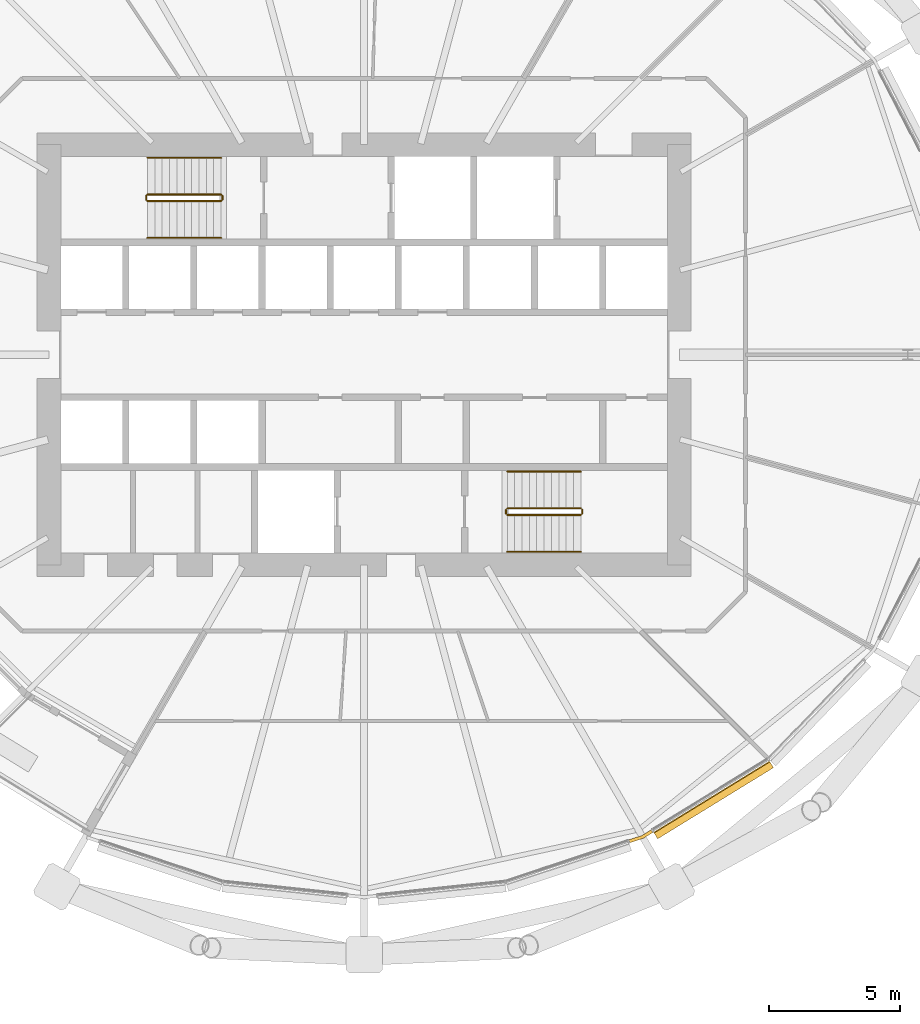
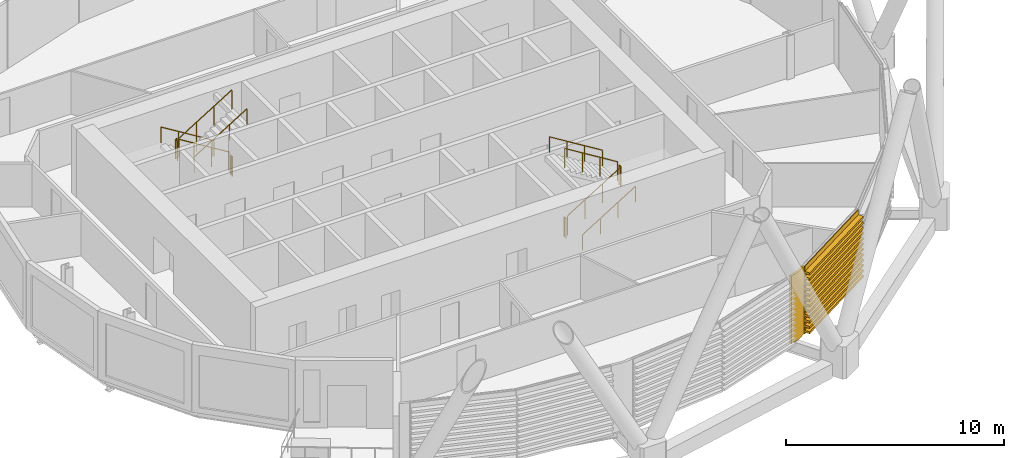
# One storey, part 35 of 40: 12 railings, 2 coverings.
"""IFC4 building model written with IfcOpenShell, lengths in metres."""

from ifc_helpers import new_model, si_unit, direction, frame, origin, origin_2d, place, context, subcontext, project, spatial, polyline, circle, outline, extrude, material, layer, layer_set, material_profile, profile_set, type_object, element, save


model = new_model("IFC4")

# Units and contexts
model_context = context("Model", 3, precision=1e-05, world=origin(), true_north=direction((0.0, 1.0)))
body_context = subcontext(model_context, "Body", "Model", "MODEL_VIEW")
ifc_project = project(units=[si_unit("LENGTHUNIT", "METRE"), si_unit("AREAUNIT", "SQUARE_METRE"), si_unit("VOLUMEUNIT", "CUBIC_METRE"), si_unit("PLANEANGLEUNIT", "RADIAN"), si_unit("MASSUNIT", "GRAM", prefix="KILO")], contexts=[model_context])

# Site, building, storey
site_placement = place(None, origin())
site = spatial("IfcSite", under=ifc_project, at=site_placement, CompositionType="ELEMENT")
building_placement = place(site_placement, origin())
building = spatial("IfcBuilding", under=site, at=building_placement, Name="Rimbun Link Towers", CompositionType="ELEMENT")
storey_placement = place(building_placement, frame((0.0, 0.0, 52.800048828125)))
storey = spatial("IfcBuildingStorey", under=building, at=storey_placement, Name="L12", CompositionType="ELEMENT", Elevation=52.800048828125)

# Covering
ifc_material_1 = material(Name="Terracotta", Category="masonry")
ifc_layer = layer(ifc_material_1, 0.1201171875)
ifc_layer_set = layer_set([ifc_layer], Name="LINK PIER terracotta cladding 120")
covering_type_1 = type_object("IfcCoveringType", Name="LINK PIER terracotta cladding 120", PredefinedType="CLADDING", material=ifc_layer_set)
covering_1_placement = place(storey_placement, origin())
element("IfcCovering", 1, at=covering_1_placement, inside=storey, type_object=covering_type_1, Name="LINK PIER cladding", PredefinedType="CLADDING", context=body_context, shape_type="SweptSolid", body=[
    extrude(outline(polyline([(-20.821044921875, -18.08984375), (-21.178955078125, -18.3095703125), (-21.672607421875, -18.47314453125), (-21.634765625, -18.5869140625), (-21.128173828125, -18.4189453125), (-20.75830078125, -18.19189453125), (-20.821044921875, -18.08984375)])), origin(), (0.0, 0.0, 1.0), 3.800048828125),
])

# Railings
ifc_material_2 = material(Name="Stainless steel grade 316", Category="steel")
railing_type_1 = type_object("IfcRailingType", Name="Stair guard", PredefinedType="GUARDRAIL", material=ifc_material_2)
railing_1_placement = place(storey_placement, frame((-37.199951171875, 6.10009765625, 0.172607421875)))
element("IfcRailing", 2, at=railing_1_placement, inside=storey, type_object=railing_type_1, Name="L12 ST1 stair guard 1", PredefinedType="GUARDRAIL", context=body_context, shape_type="SweptSolid", body=[
    extrude(circle(Radius=0.02392578125, at=origin_2d()), frame((0.0, 0.0, 1.076171875), z_axis=(-0.851089632645, 0.0, 0.525020415988), x_axis=(0.0, -1.0, 0.0)), (0.0, 0.0, 1.0), 3.2900390625),
    extrude(circle(Radius=0.02099609375, at=origin_2d()), origin(), (0.0, 0.0, 1.0), 1.052001953125),
    extrude(circle(Radius=0.02099609375, at=origin_2d()), frame((-0.933349609375, 0.0, 0.57568359375)), (0.0, 0.0, 1.0), 1.052001953125),
    extrude(circle(Radius=0.02099609375, at=origin_2d()), frame((-1.86669921875, 0.0, 1.151611328125)), (0.0, 0.0, 1.0), 1.052001953125),
    extrude(circle(Radius=0.02099609375, at=origin_2d()), frame((-2.800048828125, 0.0, 1.727294921875)), (0.0, 0.0, 1.0), 1.052001953125),
])
railing_2_placement = place(storey_placement, frame((-40.050048828125, 6.050048828125, 1.89990234375)))
element("IfcRailing", 3, at=railing_2_placement, inside=storey, type_object=railing_type_1, Name="L12 ST1 stair guard 2", PredefinedType="GUARDRAIL", context=body_context, shape_type="SweptSolid", body=[
    extrude(circle(Radius=0.02392578125, at=origin_2d()), frame((0.0, 0.0, 1.076171875), z_axis=(0.0, -1.0, 0.0), x_axis=(1.0, 0.0, 0.0)), (0.0, 0.0, 1.0), 0.150146484375),
    extrude(circle(Radius=0.02099609375, at=origin_2d()), origin(), (0.0, 0.0, 1.0), 1.052001953125),
    extrude(circle(Radius=0.02099609375, at=origin_2d()), frame((0.0, -0.150146484375, 0.0)), (0.0, 0.0, 1.0), 1.052001953125),
])
railing_3_placement = place(storey_placement, frame((-40.0, 5.85009765625, 2.07275390625)))
element("IfcRailing", 4, at=railing_3_placement, inside=storey, type_object=railing_type_1, Name="L12 ST1 stair guard 3", PredefinedType="GUARDRAIL", context=body_context, shape_type="SweptSolid", body=[
    extrude(circle(Radius=0.02392578125, at=origin_2d()), frame((0.0, 0.0, 1.076171875), z_axis=(0.851089632645, 0.0, 0.525020415988), x_axis=(0.0, 1.0, 0.0)), (0.0, 0.0, 1.0), 3.2900390625),
    extrude(circle(Radius=0.02099609375, at=origin_2d()), origin(), (0.0, 0.0, 1.0), 1.052001953125),
    extrude(circle(Radius=0.02099609375, at=origin_2d()), frame((0.933349609375, 0.0, 0.57568359375)), (0.0, 0.0, 1.0), 1.052001953125),
    extrude(circle(Radius=0.02099609375, at=origin_2d()), frame((1.86669921875, 0.0, 1.151611328125)), (0.0, 0.0, 1.0), 1.052001953125),
    extrude(circle(Radius=0.02099609375, at=origin_2d()), frame((2.800048828125, 0.0, 1.727294921875)), (0.0, 0.0, 1.0), 1.052001953125),
])
railing_4_placement = place(storey_placement, frame((-37.14990234375, 6.050048828125, 0.0)))
element("IfcRailing", 5, at=railing_4_placement, inside=storey, type_object=railing_type_1, Name="L12 ST1 stair guard 4", PredefinedType="GUARDRAIL", context=body_context, shape_type="SweptSolid", body=[
    extrude(circle(Radius=0.02392578125, at=origin_2d()), frame((0.0, 0.0, 1.076171875), z_axis=(0.0, -1.0, 0.0), x_axis=(1.0, 0.0, 0.0)), (0.0, 0.0, 1.0), 0.150146484375),
    extrude(circle(Radius=0.02099609375, at=origin_2d()), origin(), (0.0, 0.0, 1.0), 1.052001953125),
    extrude(circle(Radius=0.02099609375, at=origin_2d()), frame((0.0, -0.150146484375, 0.0)), (0.0, 0.0, 1.0), 1.052001953125),
])
railing_5_placement = place(storey_placement, frame((-26.300048828125, -6.10009765625, 0.172607421875)))
element("IfcRailing", 6, at=railing_5_placement, inside=storey, type_object=railing_type_1, Name="L12 ST2 stair guard 1", PredefinedType="GUARDRAIL", context=body_context, shape_type="SweptSolid", body=[
    extrude(circle(Radius=0.02392578125, at=origin_2d()), frame((0.0, 0.0, 1.076171875), z_axis=(0.851089632645, 0.0, 0.525020415988), x_axis=(0.0, 1.0, 0.0)), (0.0, 0.0, 1.0), 3.2900390625),
    extrude(circle(Radius=0.02099609375, at=origin_2d()), origin(), (0.0, 0.0, 1.0), 1.052001953125),
    extrude(circle(Radius=0.02099609375, at=origin_2d()), frame((0.933349609375, 0.0, 0.57568359375)), (0.0, 0.0, 1.0), 1.052001953125),
    extrude(circle(Radius=0.02099609375, at=origin_2d()), frame((1.86669921875, 0.0, 1.151611328125)), (0.0, 0.0, 1.0), 1.052001953125),
    extrude(circle(Radius=0.02099609375, at=origin_2d()), frame((2.800048828125, 0.0, 1.727294921875)), (0.0, 0.0, 1.0), 1.052001953125),
])
railing_6_placement = place(storey_placement, frame((-23.449951171875, -6.050048828125, 1.89990234375)))
element("IfcRailing", 7, at=railing_6_placement, inside=storey, type_object=railing_type_1, Name="L12 ST2 stair guard 2", PredefinedType="GUARDRAIL", context=body_context, shape_type="SweptSolid", body=[
    extrude(circle(Radius=0.02392578125, at=origin_2d()), frame((0.0, 0.0, 1.076171875), z_axis=(0.0, 1.0, 0.0), x_axis=(-1.0, 0.0, 0.0)), (0.0, 0.0, 1.0), 0.150146484375),
    extrude(circle(Radius=0.02099609375, at=origin_2d()), origin(), (0.0, 0.0, 1.0), 1.052001953125),
    extrude(circle(Radius=0.02099609375, at=origin_2d()), frame((0.0, 0.150146484375, 0.0)), (0.0, 0.0, 1.0), 1.052001953125),
])
railing_7_placement = place(storey_placement, frame((-23.5, -5.85009765625, 2.07275390625)))
element("IfcRailing", 8, at=railing_7_placement, inside=storey, type_object=railing_type_1, Name="L12 ST2 stair guard 3", PredefinedType="GUARDRAIL", context=body_context, shape_type="SweptSolid", body=[
    extrude(circle(Radius=0.02392578125, at=origin_2d()), frame((0.0, 0.0, 1.076171875), z_axis=(-0.851089632645, 0.0, 0.525020415988), x_axis=(0.0, -1.0, 0.0)), (0.0, 0.0, 1.0), 3.2900390625),
    extrude(circle(Radius=0.02099609375, at=origin_2d()), origin(), (0.0, 0.0, 1.0), 1.052001953125),
    extrude(circle(Radius=0.02099609375, at=origin_2d()), frame((-0.933349609375, 0.0, 0.57568359375)), (0.0, 0.0, 1.0), 1.052001953125),
    extrude(circle(Radius=0.02099609375, at=origin_2d()), frame((-1.86669921875, 0.0, 1.151611328125)), (0.0, 0.0, 1.0), 1.052001953125),
    extrude(circle(Radius=0.02099609375, at=origin_2d()), frame((-2.800048828125, 0.0, 1.727294921875)), (0.0, 0.0, 1.0), 1.052001953125),
])
railing_8_placement = place(storey_placement, frame((-26.35009765625, -6.050048828125, 0.0)))
element("IfcRailing", 9, at=railing_8_placement, inside=storey, type_object=railing_type_1, Name="L12 ST2 stair guard 4", PredefinedType="GUARDRAIL", context=body_context, shape_type="SweptSolid", body=[
    extrude(circle(Radius=0.02392578125, at=origin_2d()), frame((0.0, 0.0, 1.076171875), z_axis=(0.0, 1.0, 0.0), x_axis=(-1.0, 0.0, 0.0)), (0.0, 0.0, 1.0), 0.150146484375),
    extrude(circle(Radius=0.02099609375, at=origin_2d()), origin(), (0.0, 0.0, 1.0), 1.052001953125),
    extrude(circle(Radius=0.02099609375, at=origin_2d()), frame((0.0, 0.150146484375, 0.0)), (0.0, 0.0, 1.0), 1.052001953125),
])
ifc_material_3 = material(Name="Stainless steel grade 316", Category="steel")
railing_type_2 = type_object("IfcRailingType", Name="Stair handrail", PredefinedType="HANDRAIL", material=ifc_material_3)
railing_9_placement = place(storey_placement, frame((-37.199951171875, 7.5, 0.172607421875)))
element("IfcRailing", 10, at=railing_9_placement, inside=storey, type_object=railing_type_2, Name="L12 ST1 stair handrail 1", PredefinedType="HANDRAIL", context=body_context, shape_type="SweptSolid", body=[
    extrude(circle(Radius=0.02392578125, at=origin_2d()), frame((0.0, 0.0, 0.8759765625), z_axis=(-0.851089632645, 0.0, 0.525020415988), x_axis=(0.0, -1.0, 0.0)), (0.0, 0.0, 1.0), 3.2900390625),
    extrude(circle(Radius=0.02099609375, at=origin_2d()), origin(), (0.0, 0.0, 1.0), 0.851806640625),
    extrude(circle(Radius=0.02099609375, at=origin_2d()), frame((-0.933349609375, 0.0, 0.57568359375)), (0.0, 0.0, 1.0), 0.851806640625),
    extrude(circle(Radius=0.02099609375, at=origin_2d()), frame((-1.86669921875, 0.0, 1.151611328125)), (0.0, 0.0, 1.0), 0.851806640625),
    extrude(circle(Radius=0.02099609375, at=origin_2d()), frame((-2.800048828125, 0.0, 1.727294921875)), (0.0, 0.0, 1.0), 0.851806640625),
])
for number, where, name in (
    (11, (-40.0, 4.449951171875, 2.07275390625), "L12 ST1 stair handrail 2"),
    (12, (-26.300048828125, -7.5, 0.172607421875), "L12 ST2 stair handrail 1"),
):
    element("IfcRailing", number, at=place(storey_placement, frame(where)), inside=storey, type_object=railing_type_2, Name=name, PredefinedType="HANDRAIL", context=body_context, shape_type="SweptSolid", body=[
        extrude(circle(Radius=0.02392578125, at=origin_2d()), frame((0.0, 0.0, 0.8759765625), z_axis=(0.851089632645, 0.0, 0.525020415988), x_axis=(0.0, 1.0, 0.0)), (0.0, 0.0, 1.0), 3.2900390625),
        extrude(circle(Radius=0.02099609375, at=origin_2d()), origin(), (0.0, 0.0, 1.0), 0.851806640625),
        extrude(circle(Radius=0.02099609375, at=origin_2d()), frame((0.933349609375, 0.0, 0.57568359375)), (0.0, 0.0, 1.0), 0.851806640625),
        extrude(circle(Radius=0.02099609375, at=origin_2d()), frame((1.86669921875, 0.0, 1.151611328125)), (0.0, 0.0, 1.0), 0.851806640625),
        extrude(circle(Radius=0.02099609375, at=origin_2d()), frame((2.800048828125, 0.0, 1.727294921875)), (0.0, 0.0, 1.0), 0.851806640625),
    ])
railing_10_placement = place(storey_placement, frame((-23.5, -4.449951171875, 2.07275390625)))
element("IfcRailing", 13, at=railing_10_placement, inside=storey, type_object=railing_type_2, Name="L12 ST2 stair handrail 2", PredefinedType="HANDRAIL", context=body_context, shape_type="SweptSolid", body=[
    extrude(circle(Radius=0.02392578125, at=origin_2d()), frame((0.0, 0.0, 0.8759765625), z_axis=(-0.851089632645, 0.0, 0.525020415988), x_axis=(0.0, -1.0, 0.0)), (0.0, 0.0, 1.0), 3.2900390625),
    extrude(circle(Radius=0.02099609375, at=origin_2d()), origin(), (0.0, 0.0, 1.0), 0.851806640625),
    extrude(circle(Radius=0.02099609375, at=origin_2d()), frame((-0.933349609375, 0.0, 0.57568359375)), (0.0, 0.0, 1.0), 0.851806640625),
    extrude(circle(Radius=0.02099609375, at=origin_2d()), frame((-1.86669921875, 0.0, 1.151611328125)), (0.0, 0.0, 1.0), 0.851806640625),
    extrude(circle(Radius=0.02099609375, at=origin_2d()), frame((-2.800048828125, 0.0, 1.727294921875)), (0.0, 0.0, 1.0), 0.851806640625),
])

# Covering
ifc_material_4 = material(Name="Terracotta", Category="masonry")
ifc_material_profile = material_profile(ifc_material_4, outline(polyline([(0.123046875, 0.0), (0.1630859375, 0.0), (0.1630859375, 0.10009765625), (0.423095703125, 0.10009765625), (0.423095703125, 0.219970703125), (0.1630859375, 0.219970703125), (0.1630859375, 0.39990234375), (0.423095703125, 0.39990234375), (0.423095703125, 0.52001953125), (0.1630859375, 0.52001953125), (0.1630859375, 0.699951171875), (0.423095703125, 0.699951171875), (0.423095703125, 0.820068359375), (0.1630859375, 0.820068359375), (0.1630859375, 1.0), (0.423095703125, 1.0), (0.423095703125, 1.1201171875), (0.1630859375, 1.1201171875), (0.1630859375, 1.300048828125), (0.423095703125, 1.300048828125), (0.423095703125, 1.419921875), (0.1630859375, 1.419921875), (0.1630859375, 1.60009765625), (0.423095703125, 1.60009765625), (0.423095703125, 1.719970703125), (0.1630859375, 1.719970703125), (0.1630859375, 1.89990234375), (0.423095703125, 1.89990234375), (0.423095703125, 2.02001953125), (0.1630859375, 2.02001953125), (0.1630859375, 2.199951171875), (0.423095703125, 2.199951171875), (0.423095703125, 2.320068359375), (0.1630859375, 2.320068359375), (0.1630859375, 2.5), (0.423095703125, 2.5), (0.423095703125, 2.6201171875), (0.1630859375, 2.6201171875), (0.1630859375, 2.800048828125), (0.423095703125, 2.800048828125), (0.423095703125, 2.919921875), (0.1630859375, 2.919921875), (0.1630859375, 3.10009765625), (0.423095703125, 3.10009765625), (0.423095703125, 3.219970703125), (0.1630859375, 3.219970703125), (0.1630859375, 3.39990234375), (0.423095703125, 3.39990234375), (0.423095703125, 3.52001953125), (0.1630859375, 3.52001953125), (0.1630859375, 3.800048828125), (0.123046875, 3.800048828125), (0.123046875, 0.0)])), Name="BAGUETTE 120X300")
ifc_profile_set = profile_set([ifc_material_profile], Name="Terracotta")
covering_type_2 = type_object("IfcCoveringType", Name="TERRACOTTA BAGUETTE 120X300 H3800", PredefinedType="CLADDING", material=ifc_profile_set)
covering_2_placement = place(storey_placement, frame((-16.384521484375, -15.365478515625, 0.0), z_axis=(-0.852166428859, -0.523270845285, 0.0), x_axis=(0.523270845285, -0.852166428859, 0.0)))
element("IfcCovering", 14, at=covering_2_placement, inside=storey, type_object=covering_type_2, Name="TERRACOTTA BAGUETTE", PredefinedType="CLADDING", context=body_context, shape_type="SweptSolid", body=[
    extrude(outline(polyline([(0.123046875, 0.0), (0.1630859375, 0.0), (0.1630859375, 0.10009765625), (0.423095703125, 0.10009765625), (0.423095703125, 0.219970703125), (0.1630859375, 0.219970703125), (0.1630859375, 0.39990234375), (0.423095703125, 0.39990234375), (0.423095703125, 0.52001953125), (0.1630859375, 0.52001953125), (0.1630859375, 0.699951171875), (0.423095703125, 0.699951171875), (0.423095703125, 0.820068359375), (0.1630859375, 0.820068359375), (0.1630859375, 1.0), (0.423095703125, 1.0), (0.423095703125, 1.1201171875), (0.1630859375, 1.1201171875), (0.1630859375, 1.300048828125), (0.423095703125, 1.300048828125), (0.423095703125, 1.419921875), (0.1630859375, 1.419921875), (0.1630859375, 1.60009765625), (0.423095703125, 1.60009765625), (0.423095703125, 1.719970703125), (0.1630859375, 1.719970703125), (0.1630859375, 1.89990234375), (0.423095703125, 1.89990234375), (0.423095703125, 2.02001953125), (0.1630859375, 2.02001953125), (0.1630859375, 2.199951171875), (0.423095703125, 2.199951171875), (0.423095703125, 2.320068359375), (0.1630859375, 2.320068359375), (0.1630859375, 2.5), (0.423095703125, 2.5), (0.423095703125, 2.6201171875), (0.1630859375, 2.6201171875), (0.1630859375, 2.800048828125), (0.423095703125, 2.800048828125), (0.423095703125, 2.919921875), (0.1630859375, 2.919921875), (0.1630859375, 3.10009765625), (0.423095703125, 3.10009765625), (0.423095703125, 3.219970703125), (0.1630859375, 3.219970703125), (0.1630859375, 3.39990234375), (0.423095703125, 3.39990234375), (0.423095703125, 3.52001953125), (0.1630859375, 3.52001953125), (0.1630859375, 3.800048828125), (0.123046875, 3.800048828125), (0.123046875, 0.0)])), origin(), (0.0, 0.0, 1.0), 5.176025390625),
])

save(model, "model.ifc")
